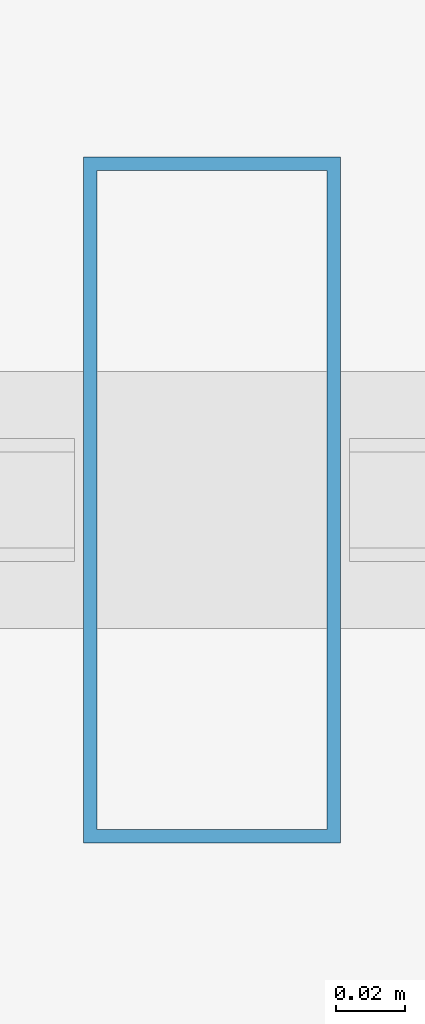
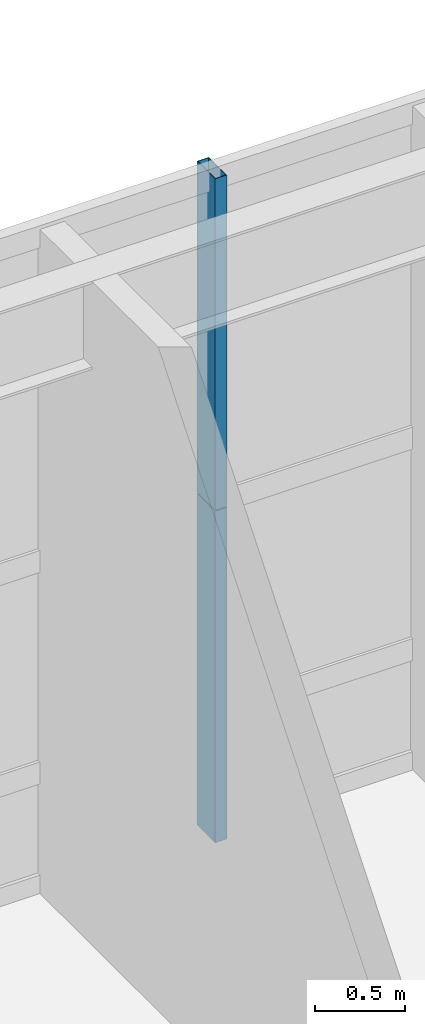
# One storey, part 23 of 37: 2 members, 1 element without a shape of its own.
"""IFC4 building model written with IfcOpenShell, lengths in metres."""

from ifc_helpers import new_model, si_unit, direction, frame, origin, origin_2d, place, context, subcontext, project, spatial, hollow_rectangle, extrude, source, transform, mapped, material, layer, layer_set, material_profile, profile_set, type_object, element, aggregate, save


model = new_model("IFC4")

# Units and contexts
model_context = context("Model", 3, precision=1e-05, world=origin(), true_north=direction((0.0, 1.0)))
body_context = subcontext(model_context, "Body", "Model", "MODEL_VIEW")
ifc_project = project(units=[si_unit("LENGTHUNIT", "METRE"), si_unit("AREAUNIT", "SQUARE_METRE"), si_unit("VOLUMEUNIT", "CUBIC_METRE"), si_unit("PLANEANGLEUNIT", "RADIAN"), si_unit("MASSUNIT", "GRAM", prefix="KILO"), si_unit("THERMODYNAMICTEMPERATUREUNIT", "KELVIN"), si_unit("POWERUNIT", "WATT")], contexts=[model_context])

# Site, building, storey
site_placement = place(None, origin())
site = spatial("IfcSite", under=ifc_project, at=site_placement, CompositionType="ELEMENT")
building_placement = place(site_placement, origin())
building = spatial("IfcBuilding", under=site, at=building_placement, Name="Yuzanri Waterfront Tower", CompositionType="ELEMENT")
storey_placement = place(building_placement, frame((0.0, 0.0, 5.39990234375)))
storey = spatial("IfcBuildingStorey", under=building, at=storey_placement, Name="L02", CompositionType="ELEMENT", Elevation=5.39990234375)

# Curtain wall, members
ifc_material_1 = material(Name="Anodized Architectural Bronze", Category="metal")
ifc_layer = layer(ifc_material_1, 0.159912109375)
ifc_layer_set = layer_set([ifc_layer], Name="Anodized Architectural Bronze")
curtain_wall_type = type_object("IfcCurtainWallType", Name="Anodized Bronze Podium Waterfront Double-Height Unitized Curtain Wall 8400", PredefinedType="NOTDEFINED", material=ifc_layer_set)
curtain_wall_placement = place(storey_placement, origin())
curtain_wall = element("IfcCurtainWall", 1, at=curtain_wall_placement, inside=storey, type_object=curtain_wall_type, Name="L02 Curtain Wall CW-L02-N2", PredefinedType="NOTDEFINED")
ifc_material_2 = material(Name="Anodized Architectural Bronze", Category="metal")
ifc_material_profile = material_profile(ifc_material_2, hollow_rectangle(XDim=0.074951171875, YDim=0.199951171875, WallThickness=0.00390625, at=origin_2d()), Name="CWM 75x200")
ifc_profile_set = profile_set([ifc_material_profile], Name="Anodized Architectural Bronze")
member_type = type_object("IfcMemberType", Name="Anodized Bronze Primary Curtain-Wall Mullion 75x200", PredefinedType="MULLION", material=ifc_profile_set)
shared_shape_1 = source(origin(), body_context, "Body", "SweptSolid", [
    extrude(hollow_rectangle(XDim=0.074951171875, YDim=0.199951171875, WallThickness=0.00390625, at=origin_2d()), origin(), (0.0, 0.0, 1.0), 2.258056640625),
])
member_1_placement = place(storey_placement, frame((47.75, 49.6201171875, 0.0), z_axis=(0.0, 0.0, 1.0), x_axis=(1.0, 0.0, 0.0)))
member_1 = element("IfcMember", 2, at=member_1_placement, type_object=member_type, Name="CW-L02-N2 Lower Mullion 01", PredefinedType="MULLION", context=body_context, shape_type="MappedRepresentation", body=[
    mapped(shared_shape_1, transform((0.0, 0.0, 0.0), scale=1.0)),
])
shared_shape_2 = source(origin(), body_context, "Body", "SweptSolid", [
    extrude(hollow_rectangle(XDim=0.074951171875, YDim=0.199951171875, WallThickness=0.00390625, at=origin_2d()), origin(), (0.0, 0.0, 1.0), 2.2578125),
])
member_2_placement = place(storey_placement, frame((47.75, 49.6201171875, 2.26220703125), z_axis=(0.0, 0.0, 1.0), x_axis=(1.0, 0.0, 0.0)))
member_2 = element("IfcMember", 3, at=member_2_placement, type_object=member_type, Name="CW-L02-N2 Upper Mullion 01", PredefinedType="MULLION", context=body_context, shape_type="MappedRepresentation", body=[
    mapped(shared_shape_2, transform((0.0, 0.0, 0.0), scale=1.0)),
])
aggregate(curtain_wall, [member_1, member_2])

save(model, "model.ifc")
